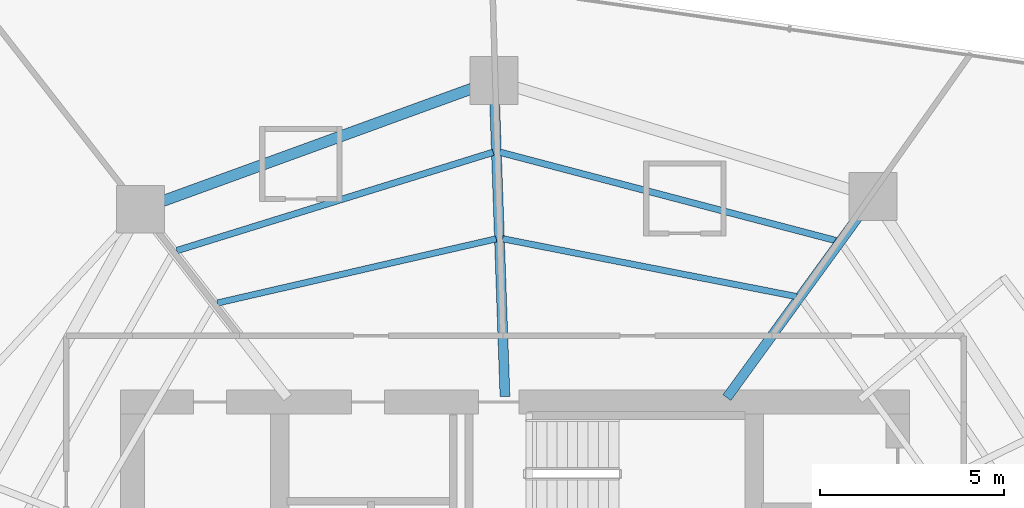
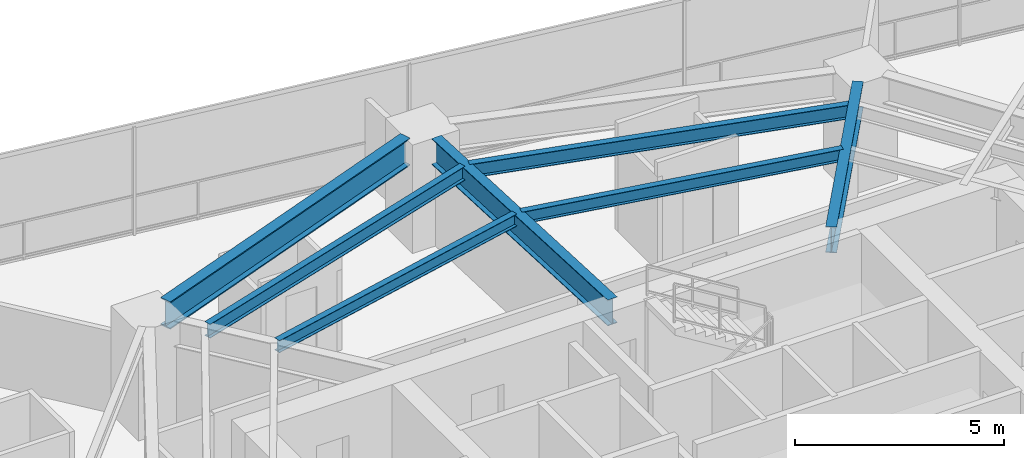
# One storey, part 19 of 32: 7 beams.
"""IFC4 building model written with IfcOpenShell, lengths in metres."""

from ifc_helpers import new_model, si_unit, direction, frame, origin, origin_2d, place, context, subcontext, project, spatial, i_section, extrude, material, material_profile, profile_set, type_object, element, save


model = new_model("IFC4")

# Units and contexts
model_context = context("Model", 3, precision=1e-05, world=origin(), true_north=direction((0.0, 1.0)))
body_context = subcontext(model_context, "Body", "Model", "MODEL_VIEW")
ifc_project = project(units=[si_unit("LENGTHUNIT", "METRE"), si_unit("AREAUNIT", "SQUARE_METRE"), si_unit("VOLUMEUNIT", "CUBIC_METRE"), si_unit("PLANEANGLEUNIT", "RADIAN"), si_unit("MASSUNIT", "GRAM", prefix="KILO")], contexts=[model_context])

# Site, building, storey
site_placement = place(None, origin())
site = spatial("IfcSite", under=ifc_project, at=site_placement, CompositionType="ELEMENT")
building_placement = place(site_placement, origin())
building = spatial("IfcBuilding", under=site, at=building_placement, Name="Qarnah Convention Tower", CompositionType="ELEMENT")
storey_placement = place(building_placement, frame((0.0, 0.0, 37.35009765625)))
storey = spatial("IfcBuildingStorey", under=building, at=storey_placement, Name="L08", CompositionType="ELEMENT", Elevation=37.35009765625)

# Beams
ifc_material = material(Name="Structural steel S355JR", Category="steel")
ifc_material_profile_1 = material_profile(ifc_material, i_section(OverallWidth=0.172119140625, OverallDepth=0.35595703125, WebThickness=0.007080078125, FlangeThickness=0.011962890625, at=origin_2d()), Name="W360X51")
ifc_profile_set_1 = profile_set([ifc_material_profile_1], Name="Structural steel S355JR")
beam_type_1 = type_object("IfcBeamType", Name="BM-JST-W360", PredefinedType="JOIST", material=ifc_profile_set_1)
beam_1_placement = place(storey_placement, frame((44.85009765625, 37.06689453125, 2.991943359375), z_axis=(-0.981172206516, 0.193134929933, 0.0), x_axis=(-0.193134929933, -0.981172206516, 0.0)))
element("IfcBeam", 1, at=beam_1_placement, inside=storey, type_object=beam_type_1, Name="L08 joist BM-L08-IJST-02", PredefinedType="JOIST", context=body_context, shape_type="SweptSolid", body=[
    extrude(i_section(OverallWidth=0.172119140625, OverallDepth=0.35595703125, WebThickness=0.007080078125, FlangeThickness=0.011962890625, at=origin_2d()), origin(), (0.0, 0.0, 1.0), 8.14453125),
])
beam_2_placement = place(storey_placement, frame((36.68310546875, 38.636962890625, 2.991943359375), z_axis=(-0.97452280151, -0.224288451192, 0.0), x_axis=(0.224288451192, -0.97452280151, 0.0)))
element("IfcBeam", 2, at=beam_2_placement, inside=storey, type_object=beam_type_1, Name="L08 joist BM-L08-IJST-03", PredefinedType="JOIST", context=body_context, shape_type="SweptSolid", body=[
    extrude(i_section(OverallWidth=0.172119140625, OverallDepth=0.35595703125, WebThickness=0.007080078125, FlangeThickness=0.011962890625, at=origin_2d()), origin(), (0.0, 0.0, 1.0), 7.775146484375),
])
ifc_material_profile_2 = material_profile(ifc_material, i_section(OverallWidth=0.177978515625, OverallDepth=0.407958984375, WebThickness=0.008056640625, FlangeThickness=0.012939453125, at=origin_2d()), Name="W410X60")
ifc_profile_set_2 = profile_set([ifc_material_profile_2], Name="Structural steel S355JR")
beam_type_2 = type_object("IfcBeamType", Name="BM-JST-W410", PredefinedType="JOIST", material=ifc_profile_set_2)
beam_3_placement = place(storey_placement, frame((45.947998046875, 38.58203125, 2.9658203125), z_axis=(-0.967122537274, 0.254310829294, 0.0), x_axis=(-0.254310829294, -0.967122537274, 0.0)))
element("IfcBeam", 3, at=beam_3_placement, inside=storey, type_object=beam_type_2, Name="L08 joist BM-L08-SJST-02", PredefinedType="JOIST", context=body_context, shape_type="SweptSolid", body=[
    extrude(i_section(OverallWidth=0.177978515625, OverallDepth=0.407958984375, WebThickness=0.008056640625, FlangeThickness=0.012939453125, at=origin_2d()), origin(), (0.0, 0.0, 1.0), 9.48388671875),
])
beam_4_placement = place(storey_placement, frame((36.60302734375, 40.989990234375, 2.9658203125), z_axis=(-0.954952196177, -0.296759672154, 0.0), x_axis=(0.296759672154, -0.954952196177, 0.0)))
element("IfcBeam", 4, at=beam_4_placement, inside=storey, type_object=beam_type_2, Name="L08 joist BM-L08-SJST-03", PredefinedType="JOIST", context=body_context, shape_type="SweptSolid", body=[
    extrude(i_section(OverallWidth=0.177978515625, OverallDepth=0.407958984375, WebThickness=0.008056640625, FlangeThickness=0.012939453125, at=origin_2d()), origin(), (0.0, 0.0, 1.0), 9.010986328125),
])
ifc_material_profile_3 = material_profile(ifc_material, i_section(OverallWidth=0.26806640625, OverallDepth=0.760009765625, WebThickness=0.014892578125, FlangeThickness=0.02197265625, at=origin_2d()), Name="W760X185")
ifc_profile_set_3 = profile_set([ifc_material_profile_3], Name="Structural steel S355JR")
beam_type_3 = type_object("IfcBeamType", Name="BM-RAD-W760", PredefinedType="BEAM", material=ifc_profile_set_3)
beam_5_placement = place(storey_placement, frame((42.955078125, 34.321044921875, 2.789794921875), z_axis=(0.587873224058, 0.808953071837, 0.0), x_axis=(-0.808953071837, 0.587873224058, 0.0)))
element("IfcBeam", 5, at=beam_5_placement, inside=storey, type_object=beam_type_3, Name="L08 beam BM-L08-RAD-02", PredefinedType="BEAM", context=body_context, shape_type="SweptSolid", body=[
    extrude(i_section(OverallWidth=0.26806640625, OverallDepth=0.760009765625, WebThickness=0.014892578125, FlangeThickness=0.02197265625, at=origin_2d()), origin(), (0.0, 0.0, 1.0), 6.12890625),
])
beam_6_placement = place(storey_placement, frame((36.922119140625, 34.35009765625, 2.789794921875), z_axis=(-0.034913066254, 0.999390353068, 0.0), x_axis=(-0.999390353068, -0.034913066254, 0.0)))
element("IfcBeam", 6, at=beam_6_placement, inside=storey, type_object=beam_type_3, Name="L08 beam BM-L08-RAD-03", PredefinedType="BEAM", context=body_context, shape_type="SweptSolid", body=[
    extrude(i_section(OverallWidth=0.26806640625, OverallDepth=0.760009765625, WebThickness=0.014892578125, FlangeThickness=0.02197265625, at=origin_2d()), origin(), (0.0, 0.0, 1.0), 7.96484375),
])
ifc_material_profile_4 = material_profile(ifc_material, i_section(OverallWidth=0.300048828125, OverallDepth=0.800048828125, WebThickness=0.01806640625, FlangeThickness=0.032958984375, at=origin_2d()), Name="HEB800")
ifc_profile_set_4 = profile_set([ifc_material_profile_4], Name="Structural steel S355JR")
beam_type_4 = type_object("IfcBeamType", Name="BM-RING-HEB800", PredefinedType="BEAM", material=ifc_profile_set_4)
beam_7_placement = place(storey_placement, frame((36.02099609375, 42.720947265625, 2.77001953125), z_axis=(-0.939712145037, -0.341966496121, 0.0), x_axis=(0.341966496121, -0.939712145037, 0.0)))
element("IfcBeam", 7, at=beam_7_placement, inside=storey, type_object=beam_type_4, Name="L08 beam BM-L08-SPN-03", PredefinedType="BEAM", context=body_context, shape_type="SweptSolid", body=[
    extrude(i_section(OverallWidth=0.300048828125, OverallDepth=0.800048828125, WebThickness=0.01806640625, FlangeThickness=0.032958984375, at=origin_2d()), origin(), (0.0, 0.0, 1.0), 8.948486328125),
])

save(model, "model.ifc")
